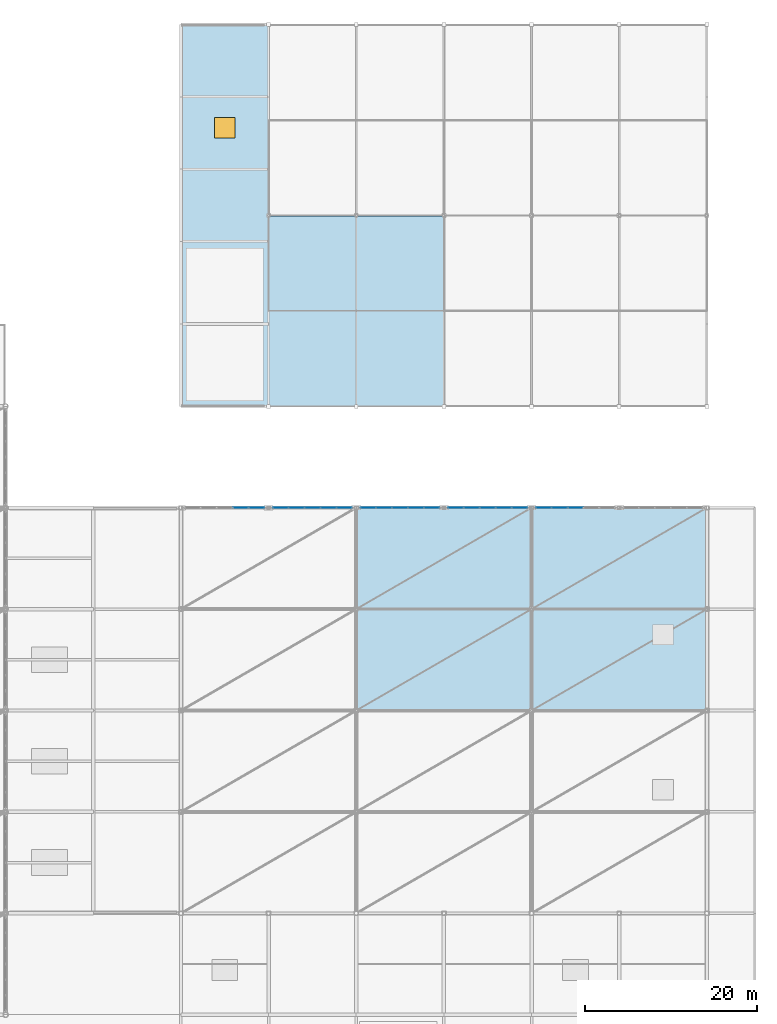
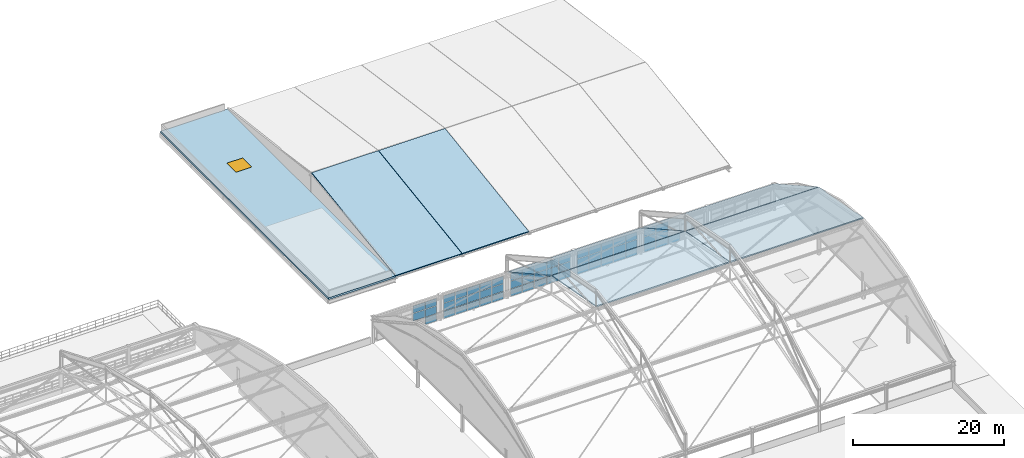
# One storey, part 112 of 135: 57 plates, 7 slabs, 1 window, 1 opening, 5 elements without a shape of their own.
"""IFC4 building model written with IfcOpenShell, lengths in metres."""

from ifc_helpers import new_model, si_unit, direction, frame, origin, origin_2d, place, context, subcontext, project, spatial, polyline, rectangle, outline, extrude, material, layer, layer_set, type_object, element, fill, aggregate, save


model = new_model("IFC4")

# Units and contexts
model_context = context("Model", 3, precision=1e-05, world=origin(), true_north=direction((0.0, 1.0)))
body_context = subcontext(model_context, "Body", "Model", "MODEL_VIEW")
ifc_project = project(units=[si_unit("LENGTHUNIT", "METRE"), si_unit("AREAUNIT", "SQUARE_METRE"), si_unit("VOLUMEUNIT", "CUBIC_METRE"), si_unit("PLANEANGLEUNIT", "RADIAN"), si_unit("MASSUNIT", "GRAM", prefix="KILO")], contexts=[model_context])

# Site, building, storey
site_placement = place(None, origin())
site = spatial("IfcSite", under=ifc_project, at=site_placement, CompositionType="ELEMENT")
building_placement = place(site_placement, origin())
building = spatial("IfcBuilding", under=site, at=building_placement, Name="Brelvane Convention Centre", CompositionType="ELEMENT")
storey_placement = place(building_placement, frame((0.0, 0.0, 15.0)))
storey = spatial("IfcBuildingStorey", under=building, at=storey_placement, Name="L03", CompositionType="ELEMENT", Elevation=15.0)

# Curtain wall, plates
ifc_material_1 = material(Name="Anodised Aluminium Alloy 6063-T6", Category="aluminium")
curtain_wall_type = type_object("IfcCurtainWallType", Name="Curtain Wall CW-PLEN-E", PredefinedType="USERDEFINED", material=ifc_material_1)
curtain_wall_1_placement = place(storey_placement, origin())
curtain_wall_1 = element("IfcCurtainWall", 1, at=curtain_wall_1_placement, inside=storey, type_object=curtain_wall_type, Name="Curtain Wall CW-PLEN-E L03-PLEN-N-CLER-1", ObjectType="UNITISED", PredefinedType="USERDEFINED")
ifc_material_2 = material(Name="Double Glazed Low-E Laminated Unit")
ifc_layer_1 = layer(ifc_material_2, 0.0439453125)
ifc_layer_set_1 = layer_set([ifc_layer_1], Name="Double Glazed Low-E Laminated Unit")
plate_type = type_object("IfcPlateType", Name="Curtain Panel CW-PG3", PredefinedType="CURTAIN_PANEL", material=ifc_layer_set_1)
plate_1_placement = place(storey_placement, frame((170.159912109375, 87.800048828125, 1.3017578125), z_axis=(0.0, 0.0, 1.0), x_axis=(1.0, 0.0, 0.0)))
plate_1 = element("IfcPlate", 2, at=plate_1_placement, type_object=plate_type, Name="CW-PLEN-E panel 4.2", PredefinedType="CURTAIN_PANEL", context=body_context, shape_type="SweptSolid", body=[
    extrude(rectangle(XDim=1.784912109375, YDim=0.0439453125, at=origin_2d()), origin(), (0.0, 0.0, 1.0), 1.196533203125),
])
plate_2_placement = place(storey_placement, frame((170.159912109375, 87.800048828125, 2.568359375), z_axis=(0.0, 0.0, 1.0), x_axis=(1.0, 0.0, 0.0)))
plate_2 = element("IfcPlate", 3, at=plate_2_placement, type_object=plate_type, Name="CW-PLEN-E panel 4.3", PredefinedType="CURTAIN_PANEL", context=body_context, shape_type="SweptSolid", body=[
    extrude(rectangle(XDim=1.784912109375, YDim=0.0439453125, at=origin_2d()), origin(), (0.0, 0.0, 1.0), 1.16162109375),
])
plate_3_placement = place(storey_placement, frame((172.001220703125, 87.800048828125, 0.070068359375), z_axis=(0.0, 0.0, 1.0), x_axis=(1.0, 0.0, 0.0)))
plate_3 = element("IfcPlate", 4, at=plate_3_placement, type_object=plate_type, Name="CW-PLEN-E panel 5.1", PredefinedType="CURTAIN_PANEL", context=body_context, shape_type="SweptSolid", body=[
    extrude(rectangle(XDim=1.74755859375, YDim=0.0439453125, at=origin_2d()), origin(), (0.0, 0.0, 1.0), 1.16162109375),
])
plate_4_placement = place(storey_placement, frame((172.001220703125, 87.800048828125, 1.3017578125), z_axis=(0.0, 0.0, 1.0), x_axis=(1.0, 0.0, 0.0)))
plate_4 = element("IfcPlate", 5, at=plate_4_placement, type_object=plate_type, Name="CW-PLEN-E panel 5.2", PredefinedType="CURTAIN_PANEL", context=body_context, shape_type="SweptSolid", body=[
    extrude(rectangle(XDim=1.74755859375, YDim=0.0439453125, at=origin_2d()), origin(), (0.0, 0.0, 1.0), 1.196533203125),
])
plate_5_placement = place(storey_placement, frame((172.001220703125, 87.800048828125, 2.568359375), z_axis=(0.0, 0.0, 1.0), x_axis=(1.0, 0.0, 0.0)))
plate_5 = element("IfcPlate", 6, at=plate_5_placement, type_object=plate_type, Name="CW-PLEN-E panel 5.3", PredefinedType="CURTAIN_PANEL", context=body_context, shape_type="SweptSolid", body=[
    extrude(rectangle(XDim=1.74755859375, YDim=0.0439453125, at=origin_2d()), origin(), (0.0, 0.0, 1.0), 1.16162109375),
])
aggregate(curtain_wall_1, [plate_1, plate_2, plate_3, plate_4, plate_5])

curtain_wall_2_placement = place(storey_placement, origin())
curtain_wall_2 = element("IfcCurtainWall", 7, at=curtain_wall_2_placement, inside=storey, type_object=curtain_wall_type, Name="Curtain Wall CW-PLEN-E L03-PLEN-N-CLER-2", ObjectType="UNITISED", PredefinedType="USERDEFINED")
plate_6_placement = place(storey_placement, frame((174.798828125, 87.800048828125, 0.070068359375), z_axis=(0.0, 0.0, 1.0), x_axis=(1.0, 0.0, 0.0)))
plate_6 = element("IfcPlate", 8, at=plate_6_placement, type_object=plate_type, Name="CW-PLEN-E panel 1.1", PredefinedType="CURTAIN_PANEL", context=body_context, shape_type="SweptSolid", body=[
    extrude(rectangle(XDim=1.74755859375, YDim=0.0439453125, at=origin_2d()), origin(), (0.0, 0.0, 1.0), 1.16162109375),
])
plate_7_placement = place(storey_placement, frame((174.798828125, 87.800048828125, 1.3017578125), z_axis=(0.0, 0.0, 1.0), x_axis=(1.0, 0.0, 0.0)))
plate_7 = element("IfcPlate", 9, at=plate_7_placement, type_object=plate_type, Name="CW-PLEN-E panel 1.2", PredefinedType="CURTAIN_PANEL", context=body_context, shape_type="SweptSolid", body=[
    extrude(rectangle(XDim=1.74755859375, YDim=0.0439453125, at=origin_2d()), origin(), (0.0, 0.0, 1.0), 1.196533203125),
])
plate_8_placement = place(storey_placement, frame((174.798828125, 87.800048828125, 2.568359375), z_axis=(0.0, 0.0, 1.0), x_axis=(1.0, 0.0, 0.0)))
plate_8 = element("IfcPlate", 10, at=plate_8_placement, type_object=plate_type, Name="CW-PLEN-E panel 1.3", PredefinedType="CURTAIN_PANEL", context=body_context, shape_type="SweptSolid", body=[
    extrude(rectangle(XDim=1.74755859375, YDim=0.0439453125, at=origin_2d()), origin(), (0.0, 0.0, 1.0), 1.16162109375),
])
plate_9_placement = place(storey_placement, frame((176.639892578125, 87.800048828125, 0.070068359375), z_axis=(0.0, 0.0, 1.0), x_axis=(1.0, 0.0, 0.0)))
plate_9 = element("IfcPlate", 11, at=plate_9_placement, type_object=plate_type, Name="CW-PLEN-E panel 2.1", PredefinedType="CURTAIN_PANEL", context=body_context, shape_type="SweptSolid", body=[
    extrude(rectangle(XDim=1.784912109375, YDim=0.0439453125, at=origin_2d()), origin(), (0.0, 0.0, 1.0), 1.16162109375),
])
plate_10_placement = place(storey_placement, frame((176.639892578125, 87.800048828125, 1.3017578125), z_axis=(0.0, 0.0, 1.0), x_axis=(1.0, 0.0, 0.0)))
plate_10 = element("IfcPlate", 12, at=plate_10_placement, type_object=plate_type, Name="CW-PLEN-E panel 2.2", PredefinedType="CURTAIN_PANEL", context=body_context, shape_type="SweptSolid", body=[
    extrude(rectangle(XDim=1.784912109375, YDim=0.0439453125, at=origin_2d()), origin(), (0.0, 0.0, 1.0), 1.196533203125),
])
plate_11_placement = place(storey_placement, frame((176.639892578125, 87.800048828125, 2.568359375), z_axis=(0.0, 0.0, 1.0), x_axis=(1.0, 0.0, 0.0)))
plate_11 = element("IfcPlate", 13, at=plate_11_placement, type_object=plate_type, Name="CW-PLEN-E panel 2.3", PredefinedType="CURTAIN_PANEL", context=body_context, shape_type="SweptSolid", body=[
    extrude(rectangle(XDim=1.784912109375, YDim=0.0439453125, at=origin_2d()), origin(), (0.0, 0.0, 1.0), 1.16162109375),
])
plate_12_placement = place(storey_placement, frame((178.5, 87.800048828125, 0.070068359375), z_axis=(0.0, 0.0, 1.0), x_axis=(1.0, 0.0, 0.0)))
plate_12 = element("IfcPlate", 14, at=plate_12_placement, type_object=plate_type, Name="CW-PLEN-E panel 3.1", PredefinedType="CURTAIN_PANEL", context=body_context, shape_type="SweptSolid", body=[
    extrude(rectangle(XDim=1.784912109375, YDim=0.0439453125, at=origin_2d()), origin(), (0.0, 0.0, 1.0), 1.16162109375),
])
plate_13_placement = place(storey_placement, frame((178.5, 87.800048828125, 1.3017578125), z_axis=(0.0, 0.0, 1.0), x_axis=(1.0, 0.0, 0.0)))
plate_13 = element("IfcPlate", 15, at=plate_13_placement, type_object=plate_type, Name="CW-PLEN-E panel 3.2", PredefinedType="CURTAIN_PANEL", context=body_context, shape_type="SweptSolid", body=[
    extrude(rectangle(XDim=1.784912109375, YDim=0.0439453125, at=origin_2d()), origin(), (0.0, 0.0, 1.0), 1.196533203125),
])
plate_14_placement = place(storey_placement, frame((178.5, 87.800048828125, 2.568359375), z_axis=(0.0, 0.0, 1.0), x_axis=(1.0, 0.0, 0.0)))
plate_14 = element("IfcPlate", 16, at=plate_14_placement, type_object=plate_type, Name="CW-PLEN-E panel 3.3", PredefinedType="CURTAIN_PANEL", context=body_context, shape_type="SweptSolid", body=[
    extrude(rectangle(XDim=1.784912109375, YDim=0.0439453125, at=origin_2d()), origin(), (0.0, 0.0, 1.0), 1.16162109375),
])
plate_15_placement = place(storey_placement, frame((180.360107421875, 87.800048828125, 0.070068359375), z_axis=(0.0, 0.0, 1.0), x_axis=(1.0, 0.0, 0.0)))
plate_15 = element("IfcPlate", 17, at=plate_15_placement, type_object=plate_type, Name="CW-PLEN-E panel 4.1", PredefinedType="CURTAIN_PANEL", context=body_context, shape_type="SweptSolid", body=[
    extrude(rectangle(XDim=1.784912109375, YDim=0.0439453125, at=origin_2d()), origin(), (0.0, 0.0, 1.0), 1.16162109375),
])
plate_16_placement = place(storey_placement, frame((180.360107421875, 87.800048828125, 1.3017578125), z_axis=(0.0, 0.0, 1.0), x_axis=(1.0, 0.0, 0.0)))
plate_16 = element("IfcPlate", 18, at=plate_16_placement, type_object=plate_type, Name="CW-PLEN-E panel 4.2", PredefinedType="CURTAIN_PANEL", context=body_context, shape_type="SweptSolid", body=[
    extrude(rectangle(XDim=1.784912109375, YDim=0.0439453125, at=origin_2d()), origin(), (0.0, 0.0, 1.0), 1.196533203125),
])
plate_17_placement = place(storey_placement, frame((180.360107421875, 87.800048828125, 2.568359375), z_axis=(0.0, 0.0, 1.0), x_axis=(1.0, 0.0, 0.0)))
plate_17 = element("IfcPlate", 19, at=plate_17_placement, type_object=plate_type, Name="CW-PLEN-E panel 4.3", PredefinedType="CURTAIN_PANEL", context=body_context, shape_type="SweptSolid", body=[
    extrude(rectangle(XDim=1.784912109375, YDim=0.0439453125, at=origin_2d()), origin(), (0.0, 0.0, 1.0), 1.16162109375),
])
plate_18_placement = place(storey_placement, frame((182.201171875, 87.800048828125, 0.070068359375), z_axis=(0.0, 0.0, 1.0), x_axis=(1.0, 0.0, 0.0)))
plate_18 = element("IfcPlate", 20, at=plate_18_placement, type_object=plate_type, Name="CW-PLEN-E panel 5.1", PredefinedType="CURTAIN_PANEL", context=body_context, shape_type="SweptSolid", body=[
    extrude(rectangle(XDim=1.74755859375, YDim=0.0439453125, at=origin_2d()), origin(), (0.0, 0.0, 1.0), 1.16162109375),
])
plate_19_placement = place(storey_placement, frame((182.201171875, 87.800048828125, 1.3017578125), z_axis=(0.0, 0.0, 1.0), x_axis=(1.0, 0.0, 0.0)))
plate_19 = element("IfcPlate", 21, at=plate_19_placement, type_object=plate_type, Name="CW-PLEN-E panel 5.2", PredefinedType="CURTAIN_PANEL", context=body_context, shape_type="SweptSolid", body=[
    extrude(rectangle(XDim=1.74755859375, YDim=0.0439453125, at=origin_2d()), origin(), (0.0, 0.0, 1.0), 1.196533203125),
])
plate_20_placement = place(storey_placement, frame((182.201171875, 87.800048828125, 2.568359375), z_axis=(0.0, 0.0, 1.0), x_axis=(1.0, 0.0, 0.0)))
plate_20 = element("IfcPlate", 22, at=plate_20_placement, type_object=plate_type, Name="CW-PLEN-E panel 5.3", PredefinedType="CURTAIN_PANEL", context=body_context, shape_type="SweptSolid", body=[
    extrude(rectangle(XDim=1.74755859375, YDim=0.0439453125, at=origin_2d()), origin(), (0.0, 0.0, 1.0), 1.16162109375),
])
aggregate(curtain_wall_2, [plate_6, plate_7, plate_8, plate_9, plate_10, plate_11, plate_12, plate_13, plate_14, plate_15, plate_16, plate_17, plate_18, plate_19, plate_20])

curtain_wall_3_placement = place(storey_placement, origin())
curtain_wall_3 = element("IfcCurtainWall", 23, at=curtain_wall_3_placement, inside=storey, type_object=curtain_wall_type, Name="Curtain Wall CW-PLEN-E L03-PLEN-N-CLER-3", ObjectType="UNITISED", PredefinedType="USERDEFINED")
plate_21_placement = place(storey_placement, frame((184.998779296875, 87.800048828125, 0.070068359375), z_axis=(0.0, 0.0, 1.0), x_axis=(1.0, 0.0, 0.0)))
plate_21 = element("IfcPlate", 24, at=plate_21_placement, type_object=plate_type, Name="CW-PLEN-E panel 1.1", PredefinedType="CURTAIN_PANEL", context=body_context, shape_type="SweptSolid", body=[
    extrude(rectangle(XDim=1.74755859375, YDim=0.0439453125, at=origin_2d()), origin(), (0.0, 0.0, 1.0), 1.16162109375),
])
plate_22_placement = place(storey_placement, frame((184.998779296875, 87.800048828125, 1.3017578125), z_axis=(0.0, 0.0, 1.0), x_axis=(1.0, 0.0, 0.0)))
plate_22 = element("IfcPlate", 25, at=plate_22_placement, type_object=plate_type, Name="CW-PLEN-E panel 1.2", PredefinedType="CURTAIN_PANEL", context=body_context, shape_type="SweptSolid", body=[
    extrude(rectangle(XDim=1.74755859375, YDim=0.0439453125, at=origin_2d()), origin(), (0.0, 0.0, 1.0), 1.196533203125),
])
plate_23_placement = place(storey_placement, frame((184.998779296875, 87.800048828125, 2.568359375), z_axis=(0.0, 0.0, 1.0), x_axis=(1.0, 0.0, 0.0)))
plate_23 = element("IfcPlate", 26, at=plate_23_placement, type_object=plate_type, Name="CW-PLEN-E panel 1.3", PredefinedType="CURTAIN_PANEL", context=body_context, shape_type="SweptSolid", body=[
    extrude(rectangle(XDim=1.74755859375, YDim=0.0439453125, at=origin_2d()), origin(), (0.0, 0.0, 1.0), 1.16162109375),
])
plate_24_placement = place(storey_placement, frame((186.840087890625, 87.800048828125, 0.070068359375), z_axis=(0.0, 0.0, 1.0), x_axis=(1.0, 0.0, 0.0)))
plate_24 = element("IfcPlate", 27, at=plate_24_placement, type_object=plate_type, Name="CW-PLEN-E panel 2.1", PredefinedType="CURTAIN_PANEL", context=body_context, shape_type="SweptSolid", body=[
    extrude(rectangle(XDim=1.784912109375, YDim=0.0439453125, at=origin_2d()), origin(), (0.0, 0.0, 1.0), 1.16162109375),
])
plate_25_placement = place(storey_placement, frame((186.840087890625, 87.800048828125, 1.3017578125), z_axis=(0.0, 0.0, 1.0), x_axis=(1.0, 0.0, 0.0)))
plate_25 = element("IfcPlate", 28, at=plate_25_placement, type_object=plate_type, Name="CW-PLEN-E panel 2.2", PredefinedType="CURTAIN_PANEL", context=body_context, shape_type="SweptSolid", body=[
    extrude(rectangle(XDim=1.784912109375, YDim=0.0439453125, at=origin_2d()), origin(), (0.0, 0.0, 1.0), 1.196533203125),
])
plate_26_placement = place(storey_placement, frame((186.840087890625, 87.800048828125, 2.568359375), z_axis=(0.0, 0.0, 1.0), x_axis=(1.0, 0.0, 0.0)))
plate_26 = element("IfcPlate", 29, at=plate_26_placement, type_object=plate_type, Name="CW-PLEN-E panel 2.3", PredefinedType="CURTAIN_PANEL", context=body_context, shape_type="SweptSolid", body=[
    extrude(rectangle(XDim=1.784912109375, YDim=0.0439453125, at=origin_2d()), origin(), (0.0, 0.0, 1.0), 1.16162109375),
])
plate_27_placement = place(storey_placement, frame((188.699951171875, 87.800048828125, 0.070068359375), z_axis=(0.0, 0.0, 1.0), x_axis=(1.0, 0.0, 0.0)))
plate_27 = element("IfcPlate", 30, at=plate_27_placement, type_object=plate_type, Name="CW-PLEN-E panel 3.1", PredefinedType="CURTAIN_PANEL", context=body_context, shape_type="SweptSolid", body=[
    extrude(rectangle(XDim=1.784912109375, YDim=0.0439453125, at=origin_2d()), origin(), (0.0, 0.0, 1.0), 1.16162109375),
])
plate_28_placement = place(storey_placement, frame((188.699951171875, 87.800048828125, 1.3017578125), z_axis=(0.0, 0.0, 1.0), x_axis=(1.0, 0.0, 0.0)))
plate_28 = element("IfcPlate", 31, at=plate_28_placement, type_object=plate_type, Name="CW-PLEN-E panel 3.2", PredefinedType="CURTAIN_PANEL", context=body_context, shape_type="SweptSolid", body=[
    extrude(rectangle(XDim=1.784912109375, YDim=0.0439453125, at=origin_2d()), origin(), (0.0, 0.0, 1.0), 1.196533203125),
])
plate_29_placement = place(storey_placement, frame((188.699951171875, 87.800048828125, 2.568359375), z_axis=(0.0, 0.0, 1.0), x_axis=(1.0, 0.0, 0.0)))
plate_29 = element("IfcPlate", 32, at=plate_29_placement, type_object=plate_type, Name="CW-PLEN-E panel 3.3", PredefinedType="CURTAIN_PANEL", context=body_context, shape_type="SweptSolid", body=[
    extrude(rectangle(XDim=1.784912109375, YDim=0.0439453125, at=origin_2d()), origin(), (0.0, 0.0, 1.0), 1.16162109375),
])
plate_30_placement = place(storey_placement, frame((190.56005859375, 87.800048828125, 0.070068359375), z_axis=(0.0, 0.0, 1.0), x_axis=(1.0, 0.0, 0.0)))
plate_30 = element("IfcPlate", 33, at=plate_30_placement, type_object=plate_type, Name="CW-PLEN-E panel 4.1", PredefinedType="CURTAIN_PANEL", context=body_context, shape_type="SweptSolid", body=[
    extrude(rectangle(XDim=1.784912109375, YDim=0.0439453125, at=origin_2d()), origin(), (0.0, 0.0, 1.0), 1.16162109375),
])
plate_31_placement = place(storey_placement, frame((190.56005859375, 87.800048828125, 1.3017578125), z_axis=(0.0, 0.0, 1.0), x_axis=(1.0, 0.0, 0.0)))
plate_31 = element("IfcPlate", 34, at=plate_31_placement, type_object=plate_type, Name="CW-PLEN-E panel 4.2", PredefinedType="CURTAIN_PANEL", context=body_context, shape_type="SweptSolid", body=[
    extrude(rectangle(XDim=1.784912109375, YDim=0.0439453125, at=origin_2d()), origin(), (0.0, 0.0, 1.0), 1.196533203125),
])
plate_32_placement = place(storey_placement, frame((190.56005859375, 87.800048828125, 2.568359375), z_axis=(0.0, 0.0, 1.0), x_axis=(1.0, 0.0, 0.0)))
plate_32 = element("IfcPlate", 35, at=plate_32_placement, type_object=plate_type, Name="CW-PLEN-E panel 4.3", PredefinedType="CURTAIN_PANEL", context=body_context, shape_type="SweptSolid", body=[
    extrude(rectangle(XDim=1.784912109375, YDim=0.0439453125, at=origin_2d()), origin(), (0.0, 0.0, 1.0), 1.16162109375),
])
plate_33_placement = place(storey_placement, frame((192.4013671875, 87.800048828125, 0.070068359375), z_axis=(0.0, 0.0, 1.0), x_axis=(1.0, 0.0, 0.0)))
plate_33 = element("IfcPlate", 36, at=plate_33_placement, type_object=plate_type, Name="CW-PLEN-E panel 5.1", PredefinedType="CURTAIN_PANEL", context=body_context, shape_type="SweptSolid", body=[
    extrude(rectangle(XDim=1.74755859375, YDim=0.0439453125, at=origin_2d()), origin(), (0.0, 0.0, 1.0), 1.16162109375),
])
plate_34_placement = place(storey_placement, frame((192.4013671875, 87.800048828125, 1.3017578125), z_axis=(0.0, 0.0, 1.0), x_axis=(1.0, 0.0, 0.0)))
plate_34 = element("IfcPlate", 37, at=plate_34_placement, type_object=plate_type, Name="CW-PLEN-E panel 5.2", PredefinedType="CURTAIN_PANEL", context=body_context, shape_type="SweptSolid", body=[
    extrude(rectangle(XDim=1.74755859375, YDim=0.0439453125, at=origin_2d()), origin(), (0.0, 0.0, 1.0), 1.196533203125),
])
plate_35_placement = place(storey_placement, frame((192.4013671875, 87.800048828125, 2.568359375), z_axis=(0.0, 0.0, 1.0), x_axis=(1.0, 0.0, 0.0)))
plate_35 = element("IfcPlate", 38, at=plate_35_placement, type_object=plate_type, Name="CW-PLEN-E panel 5.3", PredefinedType="CURTAIN_PANEL", context=body_context, shape_type="SweptSolid", body=[
    extrude(rectangle(XDim=1.74755859375, YDim=0.0439453125, at=origin_2d()), origin(), (0.0, 0.0, 1.0), 1.16162109375),
])
aggregate(curtain_wall_3, [plate_21, plate_22, plate_23, plate_24, plate_25, plate_26, plate_27, plate_28, plate_29, plate_30, plate_31, plate_32, plate_33, plate_34, plate_35])

curtain_wall_4_placement = place(storey_placement, origin())
curtain_wall_4 = element("IfcCurtainWall", 39, at=curtain_wall_4_placement, inside=storey, type_object=curtain_wall_type, Name="Curtain Wall CW-PLEN-E L03-PLEN-N-CLER-4", ObjectType="UNITISED", PredefinedType="USERDEFINED")
plate_36_placement = place(storey_placement, frame((195.19873046875, 87.800048828125, 0.070068359375), z_axis=(0.0, 0.0, 1.0), x_axis=(1.0, 0.0, 0.0)))
plate_36 = element("IfcPlate", 40, at=plate_36_placement, type_object=plate_type, Name="CW-PLEN-E panel 1.1", PredefinedType="CURTAIN_PANEL", context=body_context, shape_type="SweptSolid", body=[
    extrude(rectangle(XDim=1.74755859375, YDim=0.0439453125, at=origin_2d()), origin(), (0.0, 0.0, 1.0), 1.16162109375),
])
plate_37_placement = place(storey_placement, frame((195.19873046875, 87.800048828125, 1.3017578125), z_axis=(0.0, 0.0, 1.0), x_axis=(1.0, 0.0, 0.0)))
plate_37 = element("IfcPlate", 41, at=plate_37_placement, type_object=plate_type, Name="CW-PLEN-E panel 1.2", PredefinedType="CURTAIN_PANEL", context=body_context, shape_type="SweptSolid", body=[
    extrude(rectangle(XDim=1.74755859375, YDim=0.0439453125, at=origin_2d()), origin(), (0.0, 0.0, 1.0), 1.196533203125),
])
plate_38_placement = place(storey_placement, frame((195.19873046875, 87.800048828125, 2.568359375), z_axis=(0.0, 0.0, 1.0), x_axis=(1.0, 0.0, 0.0)))
plate_38 = element("IfcPlate", 42, at=plate_38_placement, type_object=plate_type, Name="CW-PLEN-E panel 1.3", PredefinedType="CURTAIN_PANEL", context=body_context, shape_type="SweptSolid", body=[
    extrude(rectangle(XDim=1.74755859375, YDim=0.0439453125, at=origin_2d()), origin(), (0.0, 0.0, 1.0), 1.16162109375),
])
plate_39_placement = place(storey_placement, frame((197.0400390625, 87.800048828125, 0.070068359375), z_axis=(0.0, 0.0, 1.0), x_axis=(1.0, 0.0, 0.0)))
plate_39 = element("IfcPlate", 43, at=plate_39_placement, type_object=plate_type, Name="CW-PLEN-E panel 2.1", PredefinedType="CURTAIN_PANEL", context=body_context, shape_type="SweptSolid", body=[
    extrude(rectangle(XDim=1.784912109375, YDim=0.0439453125, at=origin_2d()), origin(), (0.0, 0.0, 1.0), 1.16162109375),
])
plate_40_placement = place(storey_placement, frame((197.0400390625, 87.800048828125, 1.3017578125), z_axis=(0.0, 0.0, 1.0), x_axis=(1.0, 0.0, 0.0)))
plate_40 = element("IfcPlate", 44, at=plate_40_placement, type_object=plate_type, Name="CW-PLEN-E panel 2.2", PredefinedType="CURTAIN_PANEL", context=body_context, shape_type="SweptSolid", body=[
    extrude(rectangle(XDim=1.784912109375, YDim=0.0439453125, at=origin_2d()), origin(), (0.0, 0.0, 1.0), 1.196533203125),
])
plate_41_placement = place(storey_placement, frame((197.0400390625, 87.800048828125, 2.568359375), z_axis=(0.0, 0.0, 1.0), x_axis=(1.0, 0.0, 0.0)))
plate_41 = element("IfcPlate", 45, at=plate_41_placement, type_object=plate_type, Name="CW-PLEN-E panel 2.3", PredefinedType="CURTAIN_PANEL", context=body_context, shape_type="SweptSolid", body=[
    extrude(rectangle(XDim=1.784912109375, YDim=0.0439453125, at=origin_2d()), origin(), (0.0, 0.0, 1.0), 1.16162109375),
])
plate_42_placement = place(storey_placement, frame((198.89990234375, 87.800048828125, 0.070068359375), z_axis=(0.0, 0.0, 1.0), x_axis=(1.0, 0.0, 0.0)))
plate_42 = element("IfcPlate", 46, at=plate_42_placement, type_object=plate_type, Name="CW-PLEN-E panel 3.1", PredefinedType="CURTAIN_PANEL", context=body_context, shape_type="SweptSolid", body=[
    extrude(rectangle(XDim=1.784912109375, YDim=0.0439453125, at=origin_2d()), origin(), (0.0, 0.0, 1.0), 1.16162109375),
])
plate_43_placement = place(storey_placement, frame((198.89990234375, 87.800048828125, 1.3017578125), z_axis=(0.0, 0.0, 1.0), x_axis=(1.0, 0.0, 0.0)))
plate_43 = element("IfcPlate", 47, at=plate_43_placement, type_object=plate_type, Name="CW-PLEN-E panel 3.2", PredefinedType="CURTAIN_PANEL", context=body_context, shape_type="SweptSolid", body=[
    extrude(rectangle(XDim=1.784912109375, YDim=0.0439453125, at=origin_2d()), origin(), (0.0, 0.0, 1.0), 1.196533203125),
])
plate_44_placement = place(storey_placement, frame((198.89990234375, 87.800048828125, 2.568359375), z_axis=(0.0, 0.0, 1.0), x_axis=(1.0, 0.0, 0.0)))
plate_44 = element("IfcPlate", 48, at=plate_44_placement, type_object=plate_type, Name="CW-PLEN-E panel 3.3", PredefinedType="CURTAIN_PANEL", context=body_context, shape_type="SweptSolid", body=[
    extrude(rectangle(XDim=1.784912109375, YDim=0.0439453125, at=origin_2d()), origin(), (0.0, 0.0, 1.0), 1.16162109375),
])
plate_45_placement = place(storey_placement, frame((200.760009765625, 87.800048828125, 0.070068359375), z_axis=(0.0, 0.0, 1.0), x_axis=(1.0, 0.0, 0.0)))
plate_45 = element("IfcPlate", 49, at=plate_45_placement, type_object=plate_type, Name="CW-PLEN-E panel 4.1", PredefinedType="CURTAIN_PANEL", context=body_context, shape_type="SweptSolid", body=[
    extrude(rectangle(XDim=1.784912109375, YDim=0.0439453125, at=origin_2d()), origin(), (0.0, 0.0, 1.0), 1.16162109375),
])
plate_46_placement = place(storey_placement, frame((200.760009765625, 87.800048828125, 1.3017578125), z_axis=(0.0, 0.0, 1.0), x_axis=(1.0, 0.0, 0.0)))
plate_46 = element("IfcPlate", 50, at=plate_46_placement, type_object=plate_type, Name="CW-PLEN-E panel 4.2", PredefinedType="CURTAIN_PANEL", context=body_context, shape_type="SweptSolid", body=[
    extrude(rectangle(XDim=1.784912109375, YDim=0.0439453125, at=origin_2d()), origin(), (0.0, 0.0, 1.0), 1.196533203125),
])
plate_47_placement = place(storey_placement, frame((200.760009765625, 87.800048828125, 2.568359375), z_axis=(0.0, 0.0, 1.0), x_axis=(1.0, 0.0, 0.0)))
plate_47 = element("IfcPlate", 51, at=plate_47_placement, type_object=plate_type, Name="CW-PLEN-E panel 4.3", PredefinedType="CURTAIN_PANEL", context=body_context, shape_type="SweptSolid", body=[
    extrude(rectangle(XDim=1.784912109375, YDim=0.0439453125, at=origin_2d()), origin(), (0.0, 0.0, 1.0), 1.16162109375),
])
plate_48_placement = place(storey_placement, frame((202.601318359375, 87.800048828125, 0.070068359375), z_axis=(0.0, 0.0, 1.0), x_axis=(1.0, 0.0, 0.0)))
plate_48 = element("IfcPlate", 52, at=plate_48_placement, type_object=plate_type, Name="CW-PLEN-E panel 5.1", PredefinedType="CURTAIN_PANEL", context=body_context, shape_type="SweptSolid", body=[
    extrude(rectangle(XDim=1.74755859375, YDim=0.0439453125, at=origin_2d()), origin(), (0.0, 0.0, 1.0), 1.16162109375),
])
plate_49_placement = place(storey_placement, frame((202.601318359375, 87.800048828125, 1.3017578125), z_axis=(0.0, 0.0, 1.0), x_axis=(1.0, 0.0, 0.0)))
plate_49 = element("IfcPlate", 53, at=plate_49_placement, type_object=plate_type, Name="CW-PLEN-E panel 5.2", PredefinedType="CURTAIN_PANEL", context=body_context, shape_type="SweptSolid", body=[
    extrude(rectangle(XDim=1.74755859375, YDim=0.0439453125, at=origin_2d()), origin(), (0.0, 0.0, 1.0), 1.196533203125),
])
plate_50_placement = place(storey_placement, frame((202.601318359375, 87.800048828125, 2.568359375), z_axis=(0.0, 0.0, 1.0), x_axis=(1.0, 0.0, 0.0)))
plate_50 = element("IfcPlate", 54, at=plate_50_placement, type_object=plate_type, Name="CW-PLEN-E panel 5.3", PredefinedType="CURTAIN_PANEL", context=body_context, shape_type="SweptSolid", body=[
    extrude(rectangle(XDim=1.74755859375, YDim=0.0439453125, at=origin_2d()), origin(), (0.0, 0.0, 1.0), 1.16162109375),
])
aggregate(curtain_wall_4, [plate_36, plate_37, plate_38, plate_39, plate_40, plate_41, plate_42, plate_43, plate_44, plate_45, plate_46, plate_47, plate_48, plate_49, plate_50])

curtain_wall_5_placement = place(storey_placement, origin())
curtain_wall_5 = element("IfcCurtainWall", 55, at=curtain_wall_5_placement, inside=storey, type_object=curtain_wall_type, Name="Curtain Wall CW-PLEN-E L03-PLEN-N-CLER-5", ObjectType="UNITISED", PredefinedType="USERDEFINED")
plate_51_placement = place(storey_placement, frame((205.398681640625, 87.800048828125, 0.070068359375), z_axis=(0.0, 0.0, 1.0), x_axis=(1.0, 0.0, 0.0)))
plate_51 = element("IfcPlate", 56, at=plate_51_placement, type_object=plate_type, Name="CW-PLEN-E panel 1.1", PredefinedType="CURTAIN_PANEL", context=body_context, shape_type="SweptSolid", body=[
    extrude(rectangle(XDim=1.74755859375, YDim=0.0439453125, at=origin_2d()), origin(), (0.0, 0.0, 1.0), 1.16162109375),
])
plate_52_placement = place(storey_placement, frame((205.398681640625, 87.800048828125, 1.3017578125), z_axis=(0.0, 0.0, 1.0), x_axis=(1.0, 0.0, 0.0)))
plate_52 = element("IfcPlate", 57, at=plate_52_placement, type_object=plate_type, Name="CW-PLEN-E panel 1.2", PredefinedType="CURTAIN_PANEL", context=body_context, shape_type="SweptSolid", body=[
    extrude(rectangle(XDim=1.74755859375, YDim=0.0439453125, at=origin_2d()), origin(), (0.0, 0.0, 1.0), 1.196533203125),
])
plate_53_placement = place(storey_placement, frame((205.398681640625, 87.800048828125, 2.568359375), z_axis=(0.0, 0.0, 1.0), x_axis=(1.0, 0.0, 0.0)))
plate_53 = element("IfcPlate", 58, at=plate_53_placement, type_object=plate_type, Name="CW-PLEN-E panel 1.3", PredefinedType="CURTAIN_PANEL", context=body_context, shape_type="SweptSolid", body=[
    extrude(rectangle(XDim=1.74755859375, YDim=0.0439453125, at=origin_2d()), origin(), (0.0, 0.0, 1.0), 1.16162109375),
])
plate_54_placement = place(storey_placement, frame((207.239990234375, 87.800048828125, 0.070068359375), z_axis=(0.0, 0.0, 1.0), x_axis=(1.0, 0.0, 0.0)))
plate_54 = element("IfcPlate", 59, at=plate_54_placement, type_object=plate_type, Name="CW-PLEN-E panel 2.1", PredefinedType="CURTAIN_PANEL", context=body_context, shape_type="SweptSolid", body=[
    extrude(rectangle(XDim=1.784912109375, YDim=0.0439453125, at=origin_2d()), origin(), (0.0, 0.0, 1.0), 1.16162109375),
])
plate_55_placement = place(storey_placement, frame((207.239990234375, 87.800048828125, 1.3017578125), z_axis=(0.0, 0.0, 1.0), x_axis=(1.0, 0.0, 0.0)))
plate_55 = element("IfcPlate", 60, at=plate_55_placement, type_object=plate_type, Name="CW-PLEN-E panel 2.2", PredefinedType="CURTAIN_PANEL", context=body_context, shape_type="SweptSolid", body=[
    extrude(rectangle(XDim=1.784912109375, YDim=0.0439453125, at=origin_2d()), origin(), (0.0, 0.0, 1.0), 1.196533203125),
])
plate_56_placement = place(storey_placement, frame((207.239990234375, 87.800048828125, 2.568359375), z_axis=(0.0, 0.0, 1.0), x_axis=(1.0, 0.0, 0.0)))
plate_56 = element("IfcPlate", 61, at=plate_56_placement, type_object=plate_type, Name="CW-PLEN-E panel 2.3", PredefinedType="CURTAIN_PANEL", context=body_context, shape_type="SweptSolid", body=[
    extrude(rectangle(XDim=1.784912109375, YDim=0.0439453125, at=origin_2d()), origin(), (0.0, 0.0, 1.0), 1.16162109375),
])
plate_57_placement = place(storey_placement, frame((209.10009765625, 87.800048828125, 0.070068359375), z_axis=(0.0, 0.0, 1.0), x_axis=(1.0, 0.0, 0.0)))
plate_57 = element("IfcPlate", 62, at=plate_57_placement, type_object=plate_type, Name="CW-PLEN-E panel 3.1", PredefinedType="CURTAIN_PANEL", context=body_context, shape_type="SweptSolid", body=[
    extrude(rectangle(XDim=1.784912109375, YDim=0.0439453125, at=origin_2d()), origin(), (0.0, 0.0, 1.0), 1.16162109375),
])
aggregate(curtain_wall_5, [plate_51, plate_52, plate_53, plate_54, plate_55, plate_56, plate_57])

# Slab, opening, window
ifc_material_3 = material(Name="Concrete M40", Category="concrete")
ifc_layer_2 = layer(ifc_material_3, 0.300048828125)
ifc_layer_set_2 = layer_set([ifc_layer_2], Name="Concrete M40")
slab_type_1 = type_object("IfcSlabType", Name="Structural Slab SL-ROOF-230", PredefinedType="ROOF", material=ifc_layer_set_2)
slab_1_placement = place(storey_placement, frame((0.0, 0.0, -0.300048828125)))
slab_1 = element("IfcSlab", 63, at=slab_1_placement, inside=storey, type_object=slab_type_1, Name="L03 LowRoof Slab BALL-FOYER-ROOF", PredefinedType="ROOF", context=body_context, shape_type="SweptSolid", body=[
    extrude(outline(polyline([(163.199951171875, 99.60009765625), (173.39990234375, 99.60009765625), (173.39990234375, 144.0), (163.199951171875, 144.0), (163.199951171875, 99.60009765625)])), origin(), (0.0, 0.0, 1.0), 0.300048828125),
])
opening_placement = place(slab_1_placement, frame((168.300048828125, 132.0, 0.0)))
opening = element("IfcOpeningElement", 64, at=opening_placement, cuts=slab_1, Name="Opening SK-04", PredefinedType="OPENING", context=body_context, shape_type="SweptSolid", body=[
    extrude(rectangle(XDim=2.39990234375, YDim=2.39990234375, at=origin_2d()), origin(), (0.0, 0.0, 1.0), 0.300048828125),
])
ifc_material_4 = material(Name="Double Glazed Low-E Laminated Unit")
window_type = type_object("IfcWindowType", Name="Window SK-04", PartitioningType="SINGLE_PANEL", PredefinedType="SKYLIGHT", material=ifc_material_4)
window_placement = place(opening_placement, frame((0.0, 0.0, 0.25)))
window = element("IfcWindow", 65, at=window_placement, inside=storey, type_object=window_type, Name="Roof Skylight L03-SK14", OverallHeight=2.39990234375, OverallWidth=2.39990234375, PartitioningType="SINGLE_PANEL", PredefinedType="SKYLIGHT", context=body_context, shape_type="SweptSolid", body=[
    extrude(rectangle(XDim=2.39990234375, YDim=2.39990234375, at=origin_2d()), origin(), (0.0, 0.0, 1.0), 0.050048828125),
])
fill(opening, window)

# Slabs
ifc_material_5 = material(Name="Steel E350 (350 MPa)", Category="steel")
ifc_layer_3 = layer(ifc_material_5, 0.179931640625)
ifc_layer_set_3 = layer_set([ifc_layer_3], Name="Steel E350 (350 MPa)")
slab_type_2 = type_object("IfcSlabType", Name="Structural Slab SL-ROOF-SF-180", PredefinedType="ROOF", material=ifc_layer_set_3)
slab_2_placement = place(storey_placement, frame((183.6201171875, 64.239990234375, 13.0), z_axis=(0.0, 0.183280751466, 0.983060611632), x_axis=(1.0, 0.0, 0.0)))
element("IfcSlab", 66, at=slab_2_placement, inside=storey, type_object=slab_type_2, Name="SF_PLEN Space-Frame Roof Panel B2-F3", PredefinedType="ROOF", context=body_context, shape_type="SweptSolid", body=[
    extrude(outline(polyline([(0.0, 0.0), (20.35986328125, 0.0), (20.35986328125, 11.921920748781591), (0.0, 11.921920748781591), (0.0, 0.0)])), origin(), (0.0, 0.0, -1.0), 0.179931640625),
])
slab_3_placement = place(storey_placement, frame((183.6201171875, 76.0400390625, 10.78515625), z_axis=(0.0, 0.488163189365, 0.872752370692), x_axis=(1.0, 0.0, 0.0)))
element("IfcSlab", 67, at=slab_3_placement, inside=storey, type_object=slab_type_2, Name="SF_PLEN Space-Frame Roof Panel B2-F4", PredefinedType="ROOF", context=body_context, shape_type="SweptSolid", body=[
    extrude(outline(polyline([(0.0, 0.0), (20.35986328125, 0.0), (20.35986328125, 13.428746912285748), (0.0, 13.428746912285748), (0.0, 0.0)])), origin(), (0.0, 0.0, -1.0), 0.179931640625),
])
slab_4_placement = place(storey_placement, frame((204.02001953125, 64.239990234375, 13.0), z_axis=(0.0, 0.183280751466, 0.983060611632), x_axis=(1.0, 0.0, 0.0)))
element("IfcSlab", 68, at=slab_4_placement, inside=storey, type_object=slab_type_2, Name="SF_PLEN Space-Frame Roof Panel B3-F3", PredefinedType="ROOF", context=body_context, shape_type="SweptSolid", body=[
    extrude(outline(polyline([(0.0, 0.0), (20.35986328125, 0.0), (20.35986328125, 11.921920748781591), (0.0, 11.921920748781591), (0.0, 0.0)])), origin(), (0.0, 0.0, -1.0), 0.179931640625),
])
slab_5_placement = place(storey_placement, frame((204.02001953125, 76.0400390625, 10.78515625), z_axis=(0.0, 0.488163189365, 0.872752370692), x_axis=(1.0, 0.0, 0.0)))
element("IfcSlab", 69, at=slab_5_placement, inside=storey, type_object=slab_type_2, Name="SF_PLEN Space-Frame Roof Panel B3-F4", PredefinedType="ROOF", context=body_context, shape_type="SweptSolid", body=[
    extrude(outline(polyline([(0.0, 0.0), (20.35986328125, 0.0), (20.35986328125, 13.428746912285748), (0.0, 13.428746912285748), (0.0, 0.0)])), origin(), (0.0, 0.0, -1.0), 0.179931640625),
])
slab_6_placement = place(storey_placement, frame((173.419921875, 99.639892578125, 0.0), z_axis=(0.0, -0.142915344882, 0.989734916125), x_axis=(1.0, 0.0, 0.0)))
element("IfcSlab", 70, at=slab_6_placement, inside=storey, type_object=slab_type_2, Name="Ballroom Pitched Roof Panel 1-S", PredefinedType="ROOF", context=body_context, shape_type="SweptSolid", body=[
    extrude(outline(polyline([(0.0, 0.0), (10.16015625, 0.0), (10.16015625, 22.349537059983973), (0.0, 22.349537059983973), (0.0, 0.0)])), origin(), (0.0, 0.0, -1.0), 0.179931640625),
])
slab_7_placement = place(storey_placement, frame((183.6201171875, 99.639892578125, 0.0), z_axis=(0.0, -0.142915344882, 0.989734916125), x_axis=(1.0, 0.0, 0.0)))
element("IfcSlab", 71, at=slab_7_placement, inside=storey, type_object=slab_type_2, Name="Ballroom Pitched Roof Panel 2-S", PredefinedType="ROOF", context=body_context, shape_type="SweptSolid", body=[
    extrude(outline(polyline([(0.0, 0.0), (10.159912109375, 0.0), (10.159912109375, 22.34953705998397), (0.0, 22.34953705998397), (0.0, 0.0)])), origin(), (0.0, 0.0, -1.0), 0.179931640625),
])

save(model, "model.ifc")
